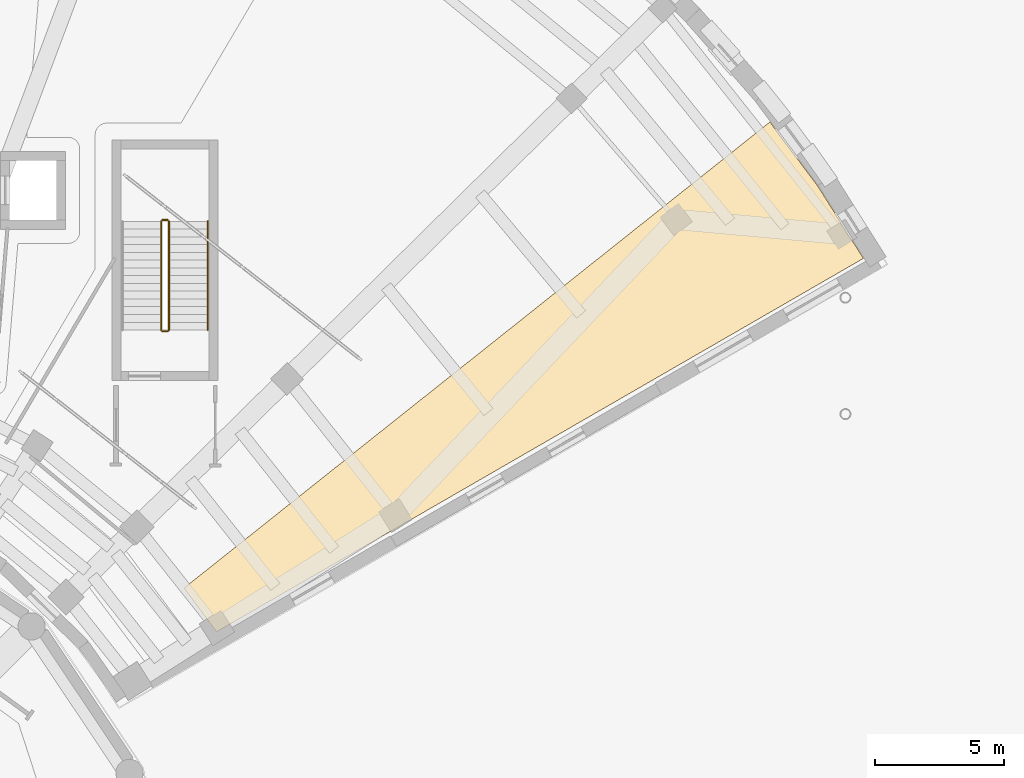
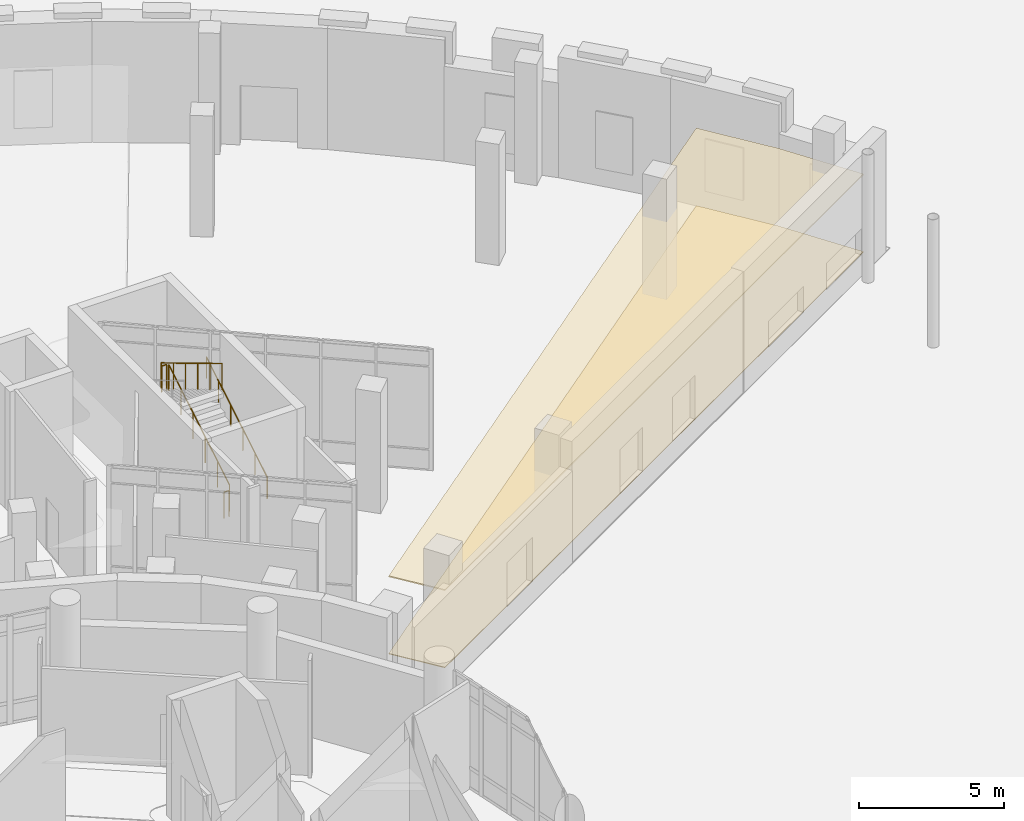
# One storey, part 70 of 74: 5 railings, 2 coverings.
"""IFC4 building model written with IfcOpenShell, lengths in metres."""

from ifc_helpers import new_model, si_unit, direction, frame, origin, origin_2d, place, context, subcontext, project, spatial, polyline, circle, outline, extrude, material, layer, layer_set, type_object, element, save


model = new_model("IFC4")

# Units and contexts
model_context = context("Model", 3, precision=1e-05, world=origin(), true_north=direction((0.0, 1.0)))
body_context = subcontext(model_context, "Body", "Model", "MODEL_VIEW")
ifc_project = project(units=[si_unit("LENGTHUNIT", "METRE"), si_unit("AREAUNIT", "SQUARE_METRE"), si_unit("VOLUMEUNIT", "CUBIC_METRE"), si_unit("PLANEANGLEUNIT", "RADIAN"), si_unit("MASSUNIT", "GRAM", prefix="KILO")], contexts=[model_context])

# Site, building, storey
site_placement = place(None, origin())
site = spatial("IfcSite", under=ifc_project, at=site_placement, CompositionType="ELEMENT")
building_placement = place(site_placement, origin())
building = spatial("IfcBuilding", under=site, at=building_placement, Name="Soyqirgoq Riverine Aquarium", CompositionType="ELEMENT")
storey_placement = place(building_placement, origin())
storey = spatial("IfcBuildingStorey", under=building, at=storey_placement, Name="L01", CompositionType="ELEMENT", Elevation=0.0)

# Covering
ifc_material_1 = material(Name="Perforated mineral-fibre acoustic ceiling", Category="gypsum")
ifc_layer_1 = layer(ifc_material_1, 0.050048828125)
ifc_layer_set_1 = layer_set([ifc_layer_1], Name="Perforated mineral-fibre acoustic ceiling")
covering_type_1 = type_object("IfcCoveringType", Name="AcousticBaffleCeiling_50", PredefinedType="CEILING", material=ifc_layer_set_1)
covering_1_placement = place(storey_placement, frame((0.0, 0.0, 3.25)))
element("IfcCovering", 1, at=covering_1_placement, inside=storey, type_object=covering_type_1, Name="Oceanic Currents Exhibition Suspended Ceiling", PredefinedType="CEILING", context=body_context, shape_type="SweptSolid", body=[
    extrude(outline(polyline([(98.72998046875, 86.367919921875), (100.4970703125, 83.568115234375), (75.489990234375, 69.1298828125), (74.22705078125, 70.821044921875), (96.883056640625, 88.842041015625), (98.72998046875, 86.367919921875)])), origin(), (0.0, 0.0, 1.0), 0.050048828125),
])

# Railings
ifc_material_2 = material(Name="Brushed stainless steel 316L tubular handrail", Category="steel")
railing_type_1 = type_object("IfcRailingType", Name="StairPitchHandrail_920", PredefinedType="HANDRAIL", material=ifc_material_2)
railing_1_placement = place(storey_placement, frame((75.14990234375, 80.800048828125, 0.179931640625)))
element("IfcRailing", 2, at=railing_1_placement, inside=storey, type_object=railing_type_1, Name="L01 ST-6 stair handrail 1", PredefinedType="HANDRAIL", context=body_context, shape_type="SweptSolid", body=[
    extrude(circle(Radius=0.02392578125, at=origin_2d()), frame((0.0, 0.0, 0.89990234375), z_axis=(0.0, 0.857488527567, 0.514503085598), x_axis=(-1.0, 0.0, 0.0)), (0.0, 0.0, 1.0), 4.89794921875),
    extrude(circle(Radius=0.02099609375, at=origin_2d()), origin(), (0.0, 0.0, 1.0), 0.875732421875),
    extrude(circle(Radius=0.02099609375, at=origin_2d()), frame((0.0, 0.840087890625, 0.50390625)), (0.0, 0.0, 1.0), 0.875732421875),
    extrude(circle(Radius=0.02099609375, at=origin_2d()), frame((0.0, 1.679931640625, 1.008056640625)), (0.0, 0.0, 1.0), 0.875732421875),
    extrude(circle(Radius=0.02099609375, at=origin_2d()), frame((0.0, 2.52001953125, 1.511962890625)), (0.0, 0.0, 1.0), 0.875732421875),
    extrude(circle(Radius=0.02099609375, at=origin_2d()), frame((0.0, 3.35986328125, 2.01611328125)), (0.0, 0.0, 1.0), 0.875732421875),
    extrude(circle(Radius=0.02099609375, at=origin_2d()), frame((0.0, 4.199951171875, 2.52001953125)), (0.0, 0.0, 1.0), 0.875732421875),
])
ifc_material_3 = material(Name="Painted steel infill stair-well guardrail", Category="steel")
railing_type_2 = type_object("IfcRailingType", Name="StairWellGuard_1120", PredefinedType="GUARDRAIL", material=ifc_material_3)
railing_2_placement = place(storey_placement, frame((73.64990234375, 80.800048828125, 0.179931640625)))
element("IfcRailing", 3, at=railing_2_placement, inside=storey, type_object=railing_type_2, Name="L01 ST-6 stair guard 1", PredefinedType="GUARDRAIL", context=body_context, shape_type="SweptSolid", body=[
    extrude(circle(Radius=0.02392578125, at=origin_2d()), frame((0.0, 0.0, 1.09619140625), z_axis=(0.0, 0.857488527567, 0.514503085598), x_axis=(-1.0, 0.0, 0.0)), (0.0, 0.0, 1.0), 4.89794921875),
    extrude(circle(Radius=0.02099609375, at=origin_2d()), origin(), (0.0, 0.0, 1.0), 1.072021484375),
    extrude(circle(Radius=0.02099609375, at=origin_2d()), frame((0.0, 0.840087890625, 0.50390625)), (0.0, 0.0, 1.0), 1.072021484375),
    extrude(circle(Radius=0.02099609375, at=origin_2d()), frame((0.0, 1.679931640625, 1.008056640625)), (0.0, 0.0, 1.0), 1.072021484375),
    extrude(circle(Radius=0.02099609375, at=origin_2d()), frame((0.0, 2.52001953125, 1.511962890625)), (0.0, 0.0, 1.0), 1.072021484375),
    extrude(circle(Radius=0.02099609375, at=origin_2d()), frame((0.0, 3.35986328125, 2.01611328125)), (0.0, 0.0, 1.0), 1.072021484375),
    extrude(circle(Radius=0.02099609375, at=origin_2d()), frame((0.0, 4.199951171875, 2.52001953125)), (0.0, 0.0, 1.0), 1.072021484375),
])
railing_3_placement = place(storey_placement, frame((73.60009765625, 85.050048828125, 2.699951171875)))
element("IfcRailing", 4, at=railing_3_placement, inside=storey, type_object=railing_type_2, Name="L01 ST-6 stair guard 2", PredefinedType="GUARDRAIL", context=body_context, shape_type="SweptSolid", body=[
    extrude(circle(Radius=0.02392578125, at=origin_2d()), frame((0.0, 0.0, 1.09619140625), z_axis=(-1.0, 0.0, 0.0), x_axis=(0.0, -1.0, 0.0)), (0.0, 0.0, 1.0), 0.2001953125),
    extrude(circle(Radius=0.02099609375, at=origin_2d()), origin(), (0.0, 0.0, 1.0), 1.072021484375),
    extrude(circle(Radius=0.02099609375, at=origin_2d()), frame((-0.2001953125, 0.0, 0.0)), (0.0, 0.0, 1.0), 1.072021484375),
])
railing_4_placement = place(storey_placement, frame((73.35009765625, 85.0, 2.8798828125)))
element("IfcRailing", 5, at=railing_4_placement, inside=storey, type_object=railing_type_2, Name="L01 ST-6 stair guard 3", PredefinedType="GUARDRAIL", context=body_context, shape_type="SweptSolid", body=[
    extrude(circle(Radius=0.02392578125, at=origin_2d()), frame((0.0, 0.0, 1.09619140625), z_axis=(0.0, -0.857488527567, 0.514503085598), x_axis=(1.0, 0.0, 0.0)), (0.0, 0.0, 1.0), 4.89794921875),
    extrude(circle(Radius=0.02099609375, at=origin_2d()), origin(), (0.0, 0.0, 1.0), 1.072021484375),
    extrude(circle(Radius=0.02099609375, at=origin_2d()), frame((0.0, -0.840087890625, 0.50390625)), (0.0, 0.0, 1.0), 1.072021484375),
    extrude(circle(Radius=0.02099609375, at=origin_2d()), frame((0.0, -1.679931640625, 1.008056640625)), (0.0, 0.0, 1.0), 1.072021484375),
    extrude(circle(Radius=0.02099609375, at=origin_2d()), frame((0.0, -2.52001953125, 1.511962890625)), (0.0, 0.0, 1.0), 1.072021484375),
    extrude(circle(Radius=0.02099609375, at=origin_2d()), frame((0.0, -3.35986328125, 2.01611328125)), (0.0, 0.0, 1.0), 1.072021484375),
    extrude(circle(Radius=0.02099609375, at=origin_2d()), frame((0.0, -4.199951171875, 2.52001953125)), (0.0, 0.0, 1.0), 1.072021484375),
])
railing_5_placement = place(storey_placement, frame((73.60009765625, 80.75, 0.0)))
element("IfcRailing", 6, at=railing_5_placement, inside=storey, type_object=railing_type_2, Name="L01 ST-6 stair guard 4", PredefinedType="GUARDRAIL", context=body_context, shape_type="SweptSolid", body=[
    extrude(circle(Radius=0.02392578125, at=origin_2d()), frame((0.0, 0.0, 1.09619140625), z_axis=(-1.0, 0.0, 0.0), x_axis=(0.0, -1.0, 0.0)), (0.0, 0.0, 1.0), 0.2001953125),
    extrude(circle(Radius=0.02099609375, at=origin_2d()), origin(), (0.0, 0.0, 1.0), 1.072021484375),
    extrude(circle(Radius=0.02099609375, at=origin_2d()), frame((-0.2001953125, 0.0, 0.0)), (0.0, 0.0, 1.0), 1.072021484375),
])

# Covering
ifc_material_4 = material(Name="Polished Chirchiq river-pebble terrazzo flooring", Category="concrete")
ifc_layer_2 = layer(ifc_material_4, 0.030029296875)
ifc_layer_set_2 = layer_set([ifc_layer_2], Name="Polished Chirchiq river-pebble terrazzo flooring")
covering_type_2 = type_object("IfcCoveringType", Name="TerrazzoFloorFinish_30", PredefinedType="FLOORING", material=ifc_layer_set_2)
covering_2_placement = place(storey_placement, origin())
element("IfcCovering", 7, at=covering_2_placement, inside=storey, type_object=covering_type_2, Name="Oceanic Currents Exhibition Floor Finish", PredefinedType="FLOORING", context=body_context, shape_type="SweptSolid", body=[
    extrude(outline(polyline([(98.72998046875, 86.367919921875), (100.4970703125, 83.568115234375), (75.489990234375, 69.1298828125), (74.22705078125, 70.821044921875), (96.883056640625, 88.842041015625), (98.72998046875, 86.367919921875)])), origin(), (0.0, 0.0, 1.0), 0.030029296875),
])

save(model, "model.ifc")
